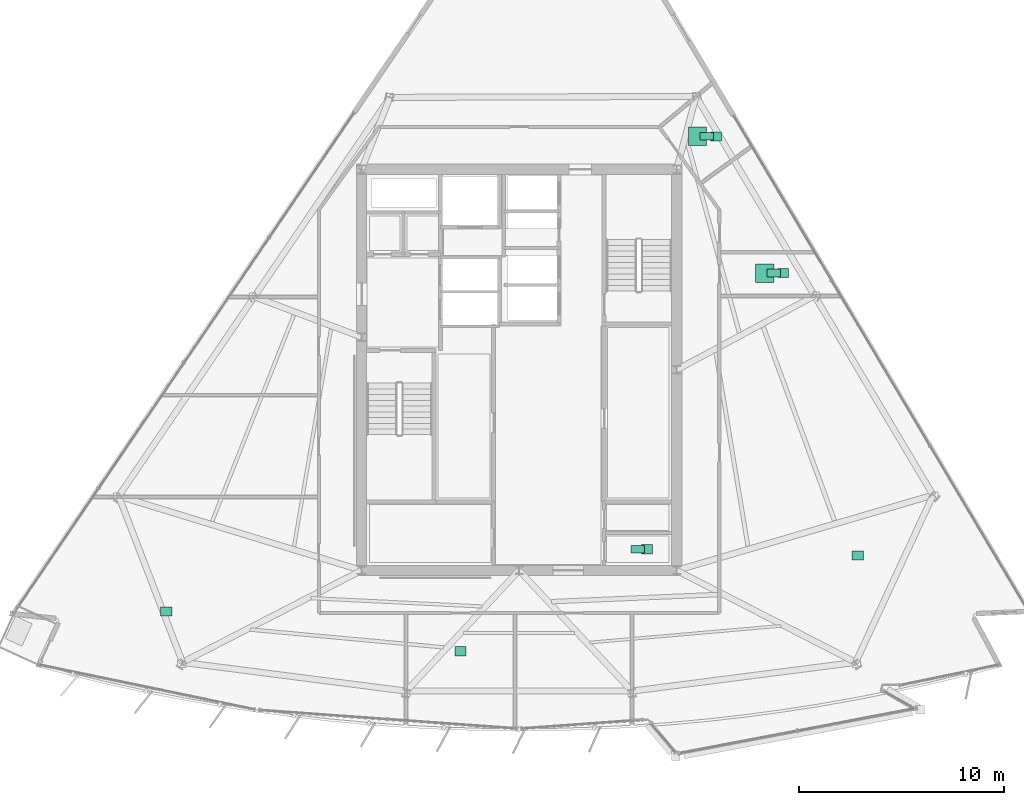
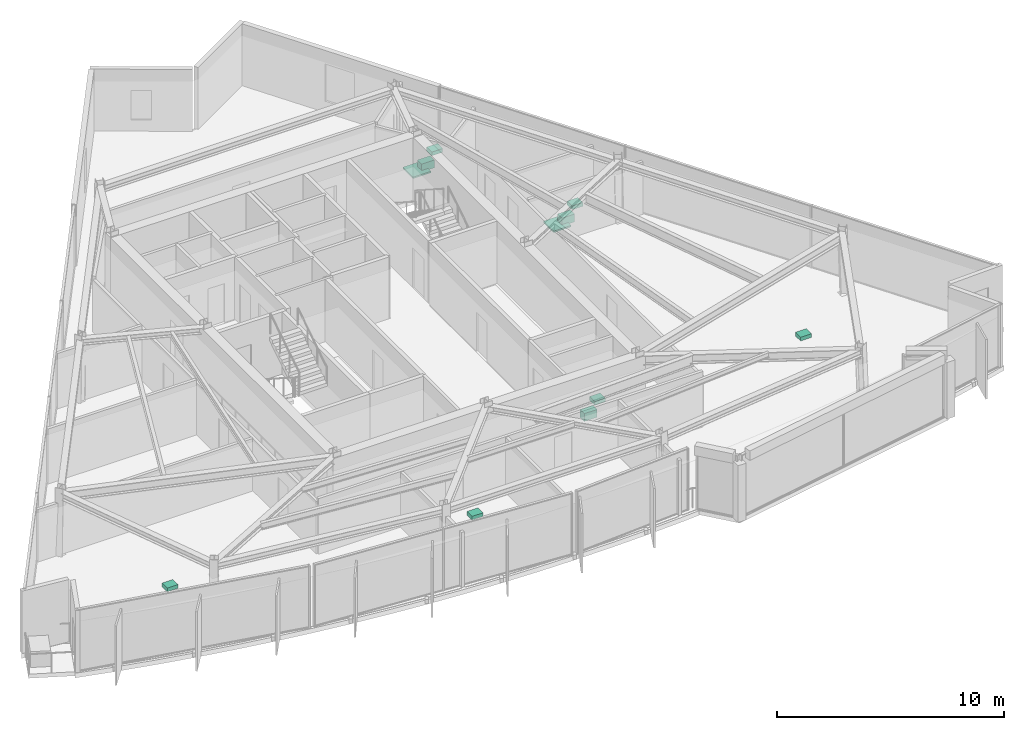
# One storey, part 14 of 14: 11 sanitary terminals.
"""IFC4 building model written with IfcOpenShell, lengths in metres."""

from ifc_helpers import new_model, si_unit, direction, frame, origin, origin_2d, place, context, subcontext, project, spatial, rectangle, extrude, material, type_object, element, save


model = new_model("IFC4")

# Units and contexts
model_context = context("Model", 3, precision=1e-05, world=origin(), true_north=direction((0.0, 1.0)))
body_context = subcontext(model_context, "Body", "Model", "MODEL_VIEW")
ifc_project = project(units=[si_unit("LENGTHUNIT", "METRE"), si_unit("AREAUNIT", "SQUARE_METRE"), si_unit("VOLUMEUNIT", "CUBIC_METRE"), si_unit("PLANEANGLEUNIT", "RADIAN"), si_unit("MASSUNIT", "GRAM", prefix="KILO")], contexts=[model_context])

# Site, building, storey
site_placement = place(None, origin())
site = spatial("IfcSite", under=ifc_project, at=site_placement, CompositionType="ELEMENT")
building_placement = place(site_placement, origin())
building = spatial("IfcBuilding", under=site, at=building_placement, Name="Savorim Split Tower", CompositionType="ELEMENT")
storey_placement = place(building_placement, frame((0.0, 0.0, 219.89990234375)))
storey = spatial("IfcBuildingStorey", under=building, at=storey_placement, Name="L58", CompositionType="ELEMENT", Elevation=219.89990234375)

# Sanitary terminals
ifc_material = material(Name="Vitreous China Sanitaryware")
sanitary_terminal_type_1 = type_object("IfcSanitaryTerminalType", Name="SAN-SHW-900", PredefinedType="SHOWER", material=ifc_material)
for number, where, z_axis, x_axis, name in (
    (1, (11.997802734375, 5.12890625, 0.0), (0.0, 0.0, 1.0), (1.0, 0.0, 0.0), "L58 Shared Bathroom Shower"),
    (2, (8.7177734375, 11.8125, 0.0), (0.0, 0.0, 1.0), (1.0, 0.0, 0.0), "L58 Shared Bathroom Shower"),
):
    element("IfcSanitaryTerminal", number, at=place(storey_placement, frame(where, z_axis=z_axis, x_axis=x_axis)), inside=storey, type_object=sanitary_terminal_type_1, Name=name, PredefinedType="SHOWER", context=body_context, shape_type="SweptSolid", body=[
        extrude(rectangle(XDim=0.89990234375, YDim=0.89990234375, at=origin_2d()), origin(), (0.0, 0.0, 1.0), 0.080078125),
    ])
sanitary_terminal_type_2 = type_object("IfcSanitaryTerminalType", Name="SAN-WC-PAN", PredefinedType="TOILETPAN", material=ifc_material)
for number, where, z_axis, x_axis, name in (
    (3, (5.800048828125, -8.3701171875, 0.000244140625), (0.0, 0.0, 1.0), (1.0, 0.0, 0.0), "L58 Accessible WC WC Pan"),
    (4, (12.447998046875, 5.12890625, 0.000244140625), (0.0, 0.0, 1.0), (1.0, 0.0, 0.0), "L58 Shared Bathroom WC Pan"),
    (5, (9.167724609375, 11.8125, 0.000244140625), (0.0, 0.0, 1.0), (1.0, 0.0, 0.0), "L58 Shared Bathroom WC Pan"),
):
    element("IfcSanitaryTerminal", number, at=place(storey_placement, frame(where, z_axis=z_axis, x_axis=x_axis)), inside=storey, type_object=sanitary_terminal_type_2, Name=name, PredefinedType="TOILETPAN", context=body_context, shape_type="SweptSolid", body=[
        extrude(rectangle(XDim=0.64990234375, YDim=0.3798828125, at=origin_2d()), origin(), (0.0, 0.0, 1.0), 0.419921875),
    ])
sanitary_terminal_type_3 = type_object("IfcSanitaryTerminalType", Name="SAN-WHB-550", PredefinedType="WASHHANDBASIN", material=ifc_material)
for number, where, z_axis, x_axis, name in (
    (6, (6.25, -8.3701171875, 0.72021484375), (0.0, 0.0, 1.0), (1.0, 0.0, 0.0), "L58 Accessible WC Washhand Basin"),
    (7, (-17.24609375, -11.406982421875, 0.75), (0.0, 0.0, 1.0), (1.0, 0.0, 0.0), "L58 Community Laundry Room Utility Sink"),
    (8, (-2.860107421875, -13.352783203125, 0.75), (0.0, 0.0, 1.0), (1.0, 0.0, 0.0), "L58 Shared Kitchen Utility Sink"),
    (9, (16.552490234375, -8.677001953125, 0.75), (0.0, 0.0, 1.0), (1.0, 0.0, 0.0), "L58 Community Laundry Room Utility Sink"),
    (10, (12.89794921875, 5.12890625, 0.72021484375), (0.0, 0.0, 1.0), (1.0, 0.0, 0.0), "L58 Shared Bathroom Washhand Basin"),
    (11, (9.61767578125, 11.8125, 0.72021484375), (0.0, 0.0, 1.0), (1.0, 0.0, 0.0), "L58 Shared Bathroom Washhand Basin"),
):
    element("IfcSanitaryTerminal", number, at=place(storey_placement, frame(where, z_axis=z_axis, x_axis=x_axis)), inside=storey, type_object=sanitary_terminal_type_3, Name=name, PredefinedType="WASHHANDBASIN", context=body_context, shape_type="SweptSolid", body=[
        extrude(rectangle(XDim=0.550048828125, YDim=0.449951171875, at=origin_2d()), origin(), (0.0, 0.0, 1.0), 0.199951171875),
    ])

save(model, "model.ifc")
